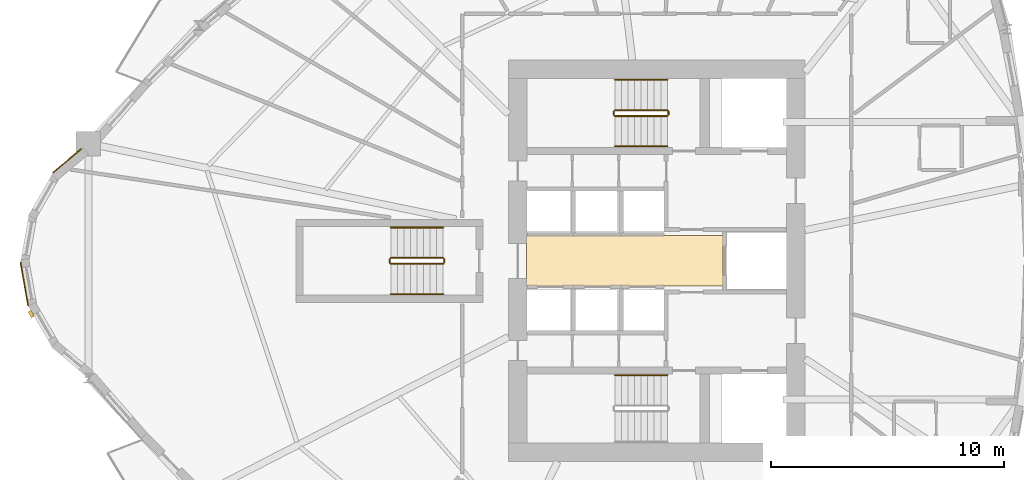
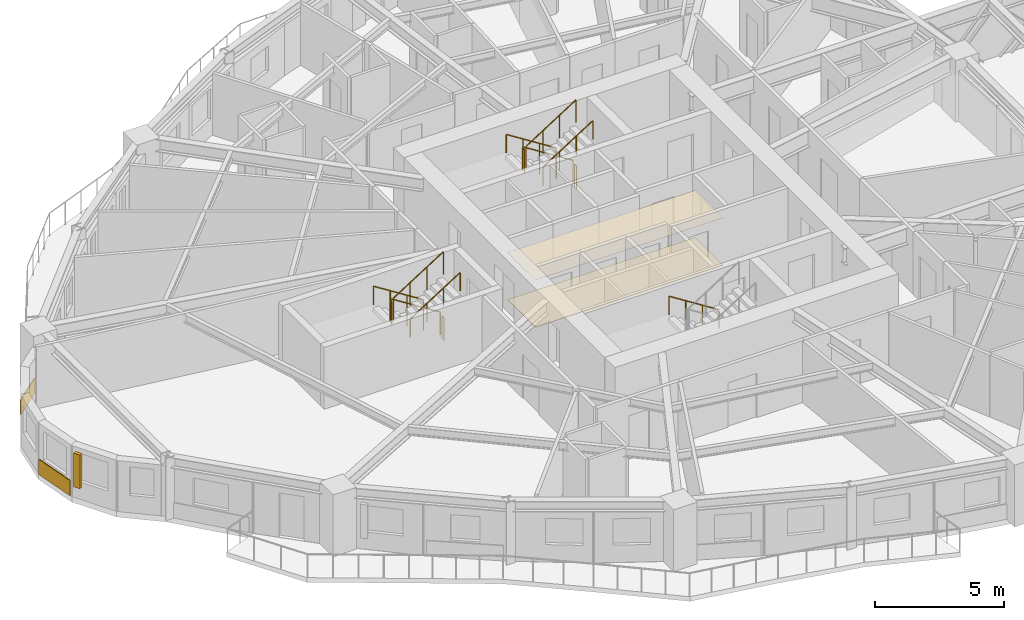
# One storey, part 13 of 16: 13 railings, 4 coverings, 1 shading device.
"""IFC4 building model written with IfcOpenShell, lengths in metres."""

from ifc_helpers import new_model, si_unit, direction, frame, origin, origin_2d, place, context, subcontext, project, spatial, polyline, rectangle, circle, outline, extrude, source, transform, mapped, material, layer, layer_set, type_object, element, save


model = new_model("IFC4")

# Units and contexts
model_context = context("Model", 3, precision=1e-05, world=origin(), true_north=direction((0.0, 1.0)))
body_context = subcontext(model_context, "Body", "Model", "MODEL_VIEW")
ifc_project = project(units=[si_unit("LENGTHUNIT", "METRE"), si_unit("AREAUNIT", "SQUARE_METRE"), si_unit("VOLUMEUNIT", "CUBIC_METRE"), si_unit("PLANEANGLEUNIT", "RADIAN"), si_unit("MASSUNIT", "GRAM", prefix="KILO")], contexts=[model_context])

# Site, building, storey
site_placement = place(None, origin())
site = spatial("IfcSite", under=ifc_project, at=site_placement, CompositionType="ELEMENT")
building_placement = place(site_placement, origin())
building = spatial("IfcBuilding", under=site, at=building_placement, Name="Qafzar Sky-Pleat Residences", CompositionType="ELEMENT")
storey_placement = place(building_placement, frame((0.0, 0.0, 30.199951171875)))
storey = spatial("IfcBuildingStorey", under=building, at=storey_placement, Name="L08", CompositionType="ELEMENT", Elevation=30.199951171875)

# Coverings
ifc_material_1 = material(Name="Perforated acoustic gypsum board ceiling")
ifc_layer_1 = layer(ifc_material_1, 0.02001953125)
ifc_layer_set_1 = layer_set([ifc_layer_1], Name="Perforated acoustic gypsum board ceiling")
covering_type_1 = type_object("IfcCoveringType", Name="COV-CEIL-ACOUSTIC", PredefinedType="CEILING", material=ifc_layer_set_1)
covering_1_placement = place(storey_placement, frame((0.0, 0.0, 2.239990234375)))
element("IfcCovering", 1, at=covering_1_placement, inside=storey, type_object=covering_type_1, Name="L08 Passenger Lift Lobby Acoustic Ceiling", PredefinedType="CEILING", context=body_context, shape_type="SweptSolid", body=[
    extrude(outline(polyline([(33.179931640625, 24.919921875), (24.77001953125, 24.919921875), (24.77001953125, 27.080078125), (33.179931640625, 27.080078125), (33.179931640625, 24.919921875)])), origin(), (0.0, 0.0, 1.0), 0.02001953125),
])
ifc_material_2 = material(Name="Honed porcelain and Riyadh stone tile flooring", Category="masonry")
ifc_layer_2 = layer(ifc_material_2, 0.02001953125)
ifc_layer_set_2 = layer_set([ifc_layer_2], Name="Honed porcelain and Riyadh stone tile flooring")
covering_type_2 = type_object("IfcCoveringType", Name="COV-FLR-PORCELAIN", PredefinedType="FLOORING", material=ifc_layer_set_2)
covering_2_placement = place(storey_placement, origin())
element("IfcCovering", 2, at=covering_2_placement, inside=storey, type_object=covering_type_2, Name="L08 Passenger Lift Lobby Honed Stone Flooring", PredefinedType="FLOORING", context=body_context, shape_type="SweptSolid", body=[
    extrude(outline(polyline([(33.179931640625, 24.919921875), (24.77001953125, 24.919921875), (24.77001953125, 27.080078125), (33.179931640625, 27.080078125), (33.179931640625, 24.919921875)])), origin(), (0.0, 0.0, 1.0), 0.02001953125),
])
ifc_material_3 = material(Name="Honed Riyadh Tuwaiq limestone cladding", Category="masonry")
ifc_layer_3 = layer(ifc_material_3, 0.044921875)
ifc_layer_set_3 = layer_set([ifc_layer_3], Name="Honed Riyadh Tuwaiq limestone cladding")
covering_type_3 = type_object("IfcCoveringType", Name="COV-CLAD-STONE", PredefinedType="CLADDING", material=ifc_layer_set_3)
shared_shape_1 = source(origin(), body_context, "Body", "SweptSolid", [
    extrude(rectangle(XDim=1.5771484375, YDim=0.044921875, at=origin_2d()), origin(), (0.0, 0.0, 1.0), 0.719970703125),
])
covering_3_placement = place(storey_placement, frame((5.094970703125, 30.28369140625, 0.02001953125), z_axis=(0.0, 0.0, 1.0), x_axis=(-0.766074606481, -0.642751660678, 0.0)))
element("IfcCovering", 3, at=covering_3_placement, inside=storey, type_object=covering_type_3, Name="L08 Riyadh Limestone Spandrel Cladding 1", PredefinedType="CLADDING", context=body_context, shape_type="MappedRepresentation", body=[
    mapped(shared_shape_1, transform((0.0, 0.0, 0.0), x_axis=(1.0, 0.0, 0.0), y_axis=(0.0, 1.0, 0.0), z_axis=(0.0, 0.0, 1.0), scale=1.0)),
])

# Shading device
ifc_material_4 = material(Name="Honed Riyadh limestone solar fin", Category="masonry")
ifc_layer_4 = layer(ifc_material_4, 0.139892578125)
ifc_layer_set_4 = layer_set([ifc_layer_4], Name="Honed Riyadh limestone solar fin")
shading_device_type = type_object("IfcShadingDeviceType", Name="SHD-FIN-STONE", PredefinedType="SHUTTER", material=ifc_layer_set_4)
shared_shape_2 = source(origin(), body_context, "Body", "SweptSolid", [
    extrude(rectangle(XDim=0.139892578125, YDim=0.280029296875, at=origin_2d()), origin(), (0.0, 0.0, 1.0), 1.60009765625),
])
shading_device_placement = place(storey_placement, frame((3.5546875, 23.72216796875, 0.60009765625), z_axis=(0.0, 0.0, 1.0), x_axis=(-0.86604422228, -0.499967403994, 0.0)))
element("IfcShadingDevice", 4, at=shading_device_placement, inside=storey, type_object=shading_device_type, Name="L08 Limestone Solar Fin 5", PredefinedType="SHUTTER", context=body_context, shape_type="MappedRepresentation", body=[
    mapped(shared_shape_2, transform((0.0, 0.0, 0.0), x_axis=(1.0, 0.0, 0.0), y_axis=(0.0, 1.0, 0.0), z_axis=(0.0, 0.0, 1.0), scale=1.0)),
])

# Covering
shared_shape_3 = source(origin(), body_context, "Body", "SweptSolid", [
    extrude(rectangle(XDim=1.88134765625, YDim=0.044921875, at=origin_2d()), origin(), (0.0, 0.0, 1.0), 0.719970703125),
])
covering_4_placement = place(storey_placement, frame((3.26318359375, 25.00439453125, 0.02001953125), z_axis=(0.0, 0.0, 1.0), x_axis=(0.173662519465, -0.984805224059, 0.0)))
element("IfcCovering", 5, at=covering_4_placement, inside=storey, type_object=covering_type_3, Name="L08 Riyadh Limestone Spandrel Cladding 4", PredefinedType="CLADDING", context=body_context, shape_type="MappedRepresentation", body=[
    mapped(shared_shape_3, transform((0.0, 0.0, 0.0), x_axis=(1.0, 0.0, 0.0), y_axis=(0.0, 1.0, 0.0), z_axis=(0.0, 0.0, 1.0), scale=1.0)),
])

# Railings
ifc_material_5 = material(Name="Painted Steel S355 stair guardrail", Category="steel")
railing_type_1 = type_object("IfcRailingType", Name="RAIL-STAIR-GUARD", PredefinedType="GUARDRAIL", material=ifc_material_5)
shared_shape_4 = source(origin(), body_context, "Body", "SweptSolid", [
    extrude(circle(Radius=0.02392578125, at=origin_2d()), frame((0.0, 0.0, 1.076171875), z_axis=(0.0, -1.0, 0.0), x_axis=(1.0, 0.0, 0.0)), (0.0, 0.0, 1.0), 0.14990234375),
    extrude(circle(Radius=0.02099609375, at=origin_2d()), origin(), (0.0, 0.0, 1.0), 1.052001953125),
    extrude(circle(Radius=0.02099609375, at=origin_2d()), frame((0.0, -0.14990234375, 0.0)), (0.0, 0.0, 1.0), 1.052001953125),
])
for number, where, name in (
    (6, (28.510009765625, 32.39990234375, 1.60009765625), "L08 ST2 stair guard 2"),
    (7, (30.85009765625, 32.39990234375, 0.0), "L08 ST2 stair guard 4"),
    (8, (18.909912109375, 26.074951171875, 1.60009765625), "L08 ST3 stair guard 2"),
    (9, (21.25, 26.074951171875, 0.0), "L08 ST3 stair guard 4"),
):
    element("IfcRailing", number, at=place(storey_placement, frame(where)), inside=storey, type_object=railing_type_1, Name=name, PredefinedType="GUARDRAIL", context=body_context, shape_type="MappedRepresentation", body=[
        mapped(shared_shape_4, transform((0.0, 0.0, 0.0), x_axis=(1.0, 0.0, 0.0), y_axis=(0.0, 1.0, 0.0), z_axis=(0.0, 0.0, 1.0), scale=1.0)),
    ])
shared_shape_5 = source(origin(), body_context, "Body", "SweptSolid", [
    extrude(circle(Radius=0.02392578125, at=origin_2d()), frame((0.0, 0.0, 1.076171875), z_axis=(0.8442293374, 0.0, 0.53598211339), x_axis=(0.0, 1.0, 0.0)), (0.0, 0.0, 1.0), 2.6533203125),
    extrude(circle(Radius=0.02099609375, at=origin_2d()), origin(), (0.0, 0.0, 1.0), 1.052001953125),
    extrude(circle(Radius=0.02099609375, at=origin_2d()), frame((0.74658203125, 0.0, 0.47412109375)), (0.0, 0.0, 1.0), 1.052001953125),
    extrude(circle(Radius=0.02099609375, at=origin_2d()), frame((1.493408203125, 0.0, 0.947998046875)), (0.0, 0.0, 1.0), 1.052001953125),
    extrude(circle(Radius=0.02099609375, at=origin_2d()), frame((2.239990234375, 0.0, 1.422119140625)), (0.0, 0.0, 1.0), 1.052001953125),
])
for number, where, name in (
    (10, (28.56005859375, 32.199951171875, 1.77783203125), "L08 ST2 stair guard 3"),
    (11, (18.9599609375, 25.875, 1.77783203125), "L08 ST3 stair guard 3"),
):
    element("IfcRailing", number, at=place(storey_placement, frame(where)), inside=storey, type_object=railing_type_1, Name=name, PredefinedType="GUARDRAIL", context=body_context, shape_type="MappedRepresentation", body=[
        mapped(shared_shape_5, transform((0.0, 0.0, 0.0), x_axis=(1.0, 0.0, 0.0), y_axis=(0.0, 1.0, 0.0), z_axis=(0.0, 0.0, 1.0), scale=1.0)),
    ])
ifc_material_6 = material(Name="Brushed stainless steel handrail", Category="steel")
railing_type_2 = type_object("IfcRailingType", Name="RAIL-STAIR-HAND", PredefinedType="HANDRAIL", material=ifc_material_6)
shared_shape_6 = source(origin(), body_context, "Body", "SweptSolid", [
    extrude(circle(Radius=0.02392578125, at=origin_2d()), frame((0.0, 0.0, 0.8759765625), z_axis=(0.8442293374, 0.0, 0.53598211339), x_axis=(0.0, 1.0, 0.0)), (0.0, 0.0, 1.0), 2.6533203125),
    extrude(circle(Radius=0.02099609375, at=origin_2d()), origin(), (0.0, 0.0, 1.0), 0.851806640625),
    extrude(circle(Radius=0.02099609375, at=origin_2d()), frame((0.74658203125, 0.0, 0.47412109375)), (0.0, 0.0, 1.0), 0.851806640625),
    extrude(circle(Radius=0.02099609375, at=origin_2d()), frame((1.493408203125, 0.0, 0.947998046875)), (0.0, 0.0, 1.0), 0.851806640625),
    extrude(circle(Radius=0.02099609375, at=origin_2d()), frame((2.239990234375, 0.0, 1.422119140625)), (0.0, 0.0, 1.0), 0.851806640625),
])
for number, where, name in (
    (12, (28.56005859375, 30.89990234375, 1.77783203125), "L08 ST2 stair handrail 2"),
    (13, (18.9599609375, 24.574951171875, 1.77783203125), "L08 ST3 stair handrail 2"),
):
    element("IfcRailing", number, at=place(storey_placement, frame(where)), inside=storey, type_object=railing_type_2, Name=name, PredefinedType="HANDRAIL", context=body_context, shape_type="MappedRepresentation", body=[
        mapped(shared_shape_6, transform((0.0, 0.0, 0.0), x_axis=(1.0, 0.0, 0.0), y_axis=(0.0, 1.0, 0.0), z_axis=(0.0, 0.0, 1.0), scale=1.0)),
    ])
shared_shape_7 = source(origin(), body_context, "Body", "SweptSolid", [
    extrude(circle(Radius=0.02392578125, at=origin_2d()), frame((0.0, 0.0, 1.076171875), z_axis=(-0.84418770128, 0.0, 0.536047689118), x_axis=(0.0, -1.0, 0.0)), (0.0, 0.0, 1.0), 2.6533203125),
    extrude(circle(Radius=0.02099609375, at=origin_2d()), origin(), (0.0, 0.0, 1.0), 1.052001953125),
    extrude(circle(Radius=0.02099609375, at=origin_2d()), frame((-0.74658203125, 0.0, 0.47412109375)), (0.0, 0.0, 1.0), 1.052001953125),
    extrude(circle(Radius=0.02099609375, at=origin_2d()), frame((-1.493408203125, 0.0, 0.9482421875)), (0.0, 0.0, 1.0), 1.052001953125),
    extrude(circle(Radius=0.02099609375, at=origin_2d()), frame((-2.239990234375, 0.0, 1.42236328125)), (0.0, 0.0, 1.0), 1.052001953125),
])
for number, where, name in (
    (14, (30.800048828125, 32.449951171875, 0.177734375), "L08 ST2 stair guard 1"),
    (15, (21.199951171875, 26.125, 0.177734375), "L08 ST3 stair guard 1"),
):
    element("IfcRailing", number, at=place(storey_placement, frame(where)), inside=storey, type_object=railing_type_1, Name=name, PredefinedType="GUARDRAIL", context=body_context, shape_type="MappedRepresentation", body=[
        mapped(shared_shape_7, transform((0.0, 0.0, 0.0), x_axis=(1.0, 0.0, 0.0), y_axis=(0.0, 1.0, 0.0), z_axis=(0.0, 0.0, 1.0), scale=1.0)),
    ])
shared_shape_8 = source(origin(), body_context, "Body", "SweptSolid", [
    extrude(circle(Radius=0.02392578125, at=origin_2d()), frame((0.0, 0.0, 0.8759765625), z_axis=(-0.84418770128, 0.0, 0.536047689118), x_axis=(0.0, -1.0, 0.0)), (0.0, 0.0, 1.0), 2.6533203125),
    extrude(circle(Radius=0.02099609375, at=origin_2d()), origin(), (0.0, 0.0, 1.0), 0.851806640625),
    extrude(circle(Radius=0.02099609375, at=origin_2d()), frame((-0.74658203125, 0.0, 0.47412109375)), (0.0, 0.0, 1.0), 0.851806640625),
    extrude(circle(Radius=0.02099609375, at=origin_2d()), frame((-1.493408203125, 0.0, 0.9482421875)), (0.0, 0.0, 1.0), 0.851806640625),
    extrude(circle(Radius=0.02099609375, at=origin_2d()), frame((-2.239990234375, 0.0, 1.42236328125)), (0.0, 0.0, 1.0), 0.851806640625),
])
for number, where, name in (
    (16, (30.800048828125, 21.10009765625, 0.177734375), "L08 ST1 stair handrail 1"),
    (17, (30.800048828125, 33.75, 0.177734375), "L08 ST2 stair handrail 1"),
    (18, (21.199951171875, 27.425048828125, 0.177734375), "L08 ST3 stair handrail 1"),
):
    element("IfcRailing", number, at=place(storey_placement, frame(where)), inside=storey, type_object=railing_type_2, Name=name, PredefinedType="HANDRAIL", context=body_context, shape_type="MappedRepresentation", body=[
        mapped(shared_shape_8, transform((0.0, 0.0, 0.0), x_axis=(1.0, 0.0, 0.0), y_axis=(0.0, 1.0, 0.0), z_axis=(0.0, 0.0, 1.0), scale=1.0)),
    ])

save(model, "model.ifc")
